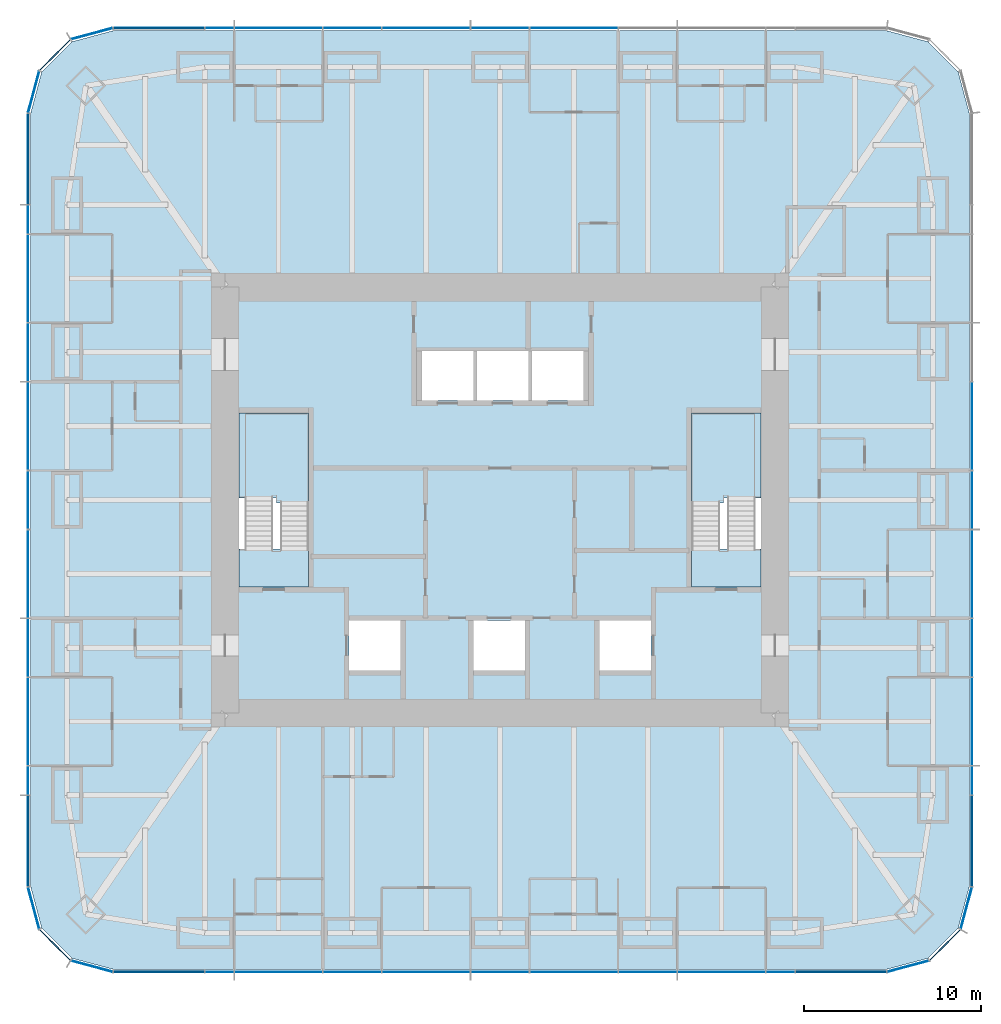
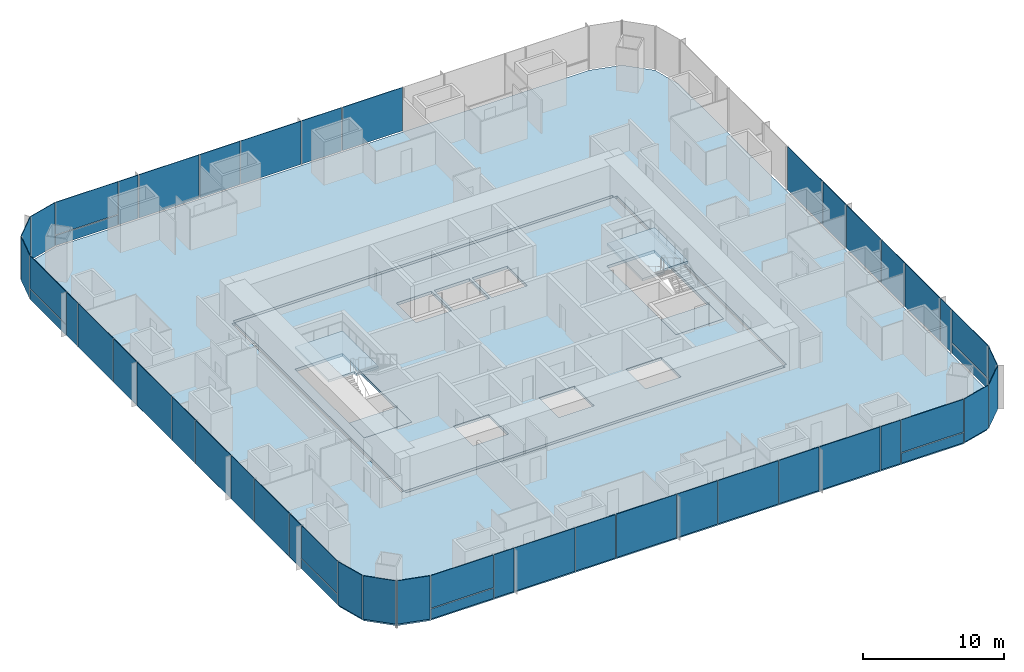
# One storey, part 7 of 12: 51 plates, 6 slabs, 9 elements without a shape of their own.
"""IFC4 building model written with IfcOpenShell, lengths in metres."""

from ifc_helpers import new_model, si_unit, direction, frame, origin, origin_2d, place, context, subcontext, project, spatial, polyline, rectangle, outline, extrude, material, layer, layer_set, type_object, element, aggregate, save


model = new_model("IFC4")

# Units and contexts
model_context = context("Model", 3, precision=1e-05, world=origin(), true_north=direction((0.0, 1.0)))
body_context = subcontext(model_context, "Body", "Model", "MODEL_VIEW")
ifc_project = project(units=[si_unit("LENGTHUNIT", "METRE"), si_unit("AREAUNIT", "SQUARE_METRE"), si_unit("VOLUMEUNIT", "CUBIC_METRE"), si_unit("PLANEANGLEUNIT", "RADIAN"), si_unit("MASSUNIT", "GRAM", prefix="KILO")], contexts=[model_context])

# Site, building, storey
site_placement = place(None, origin())
site = spatial("IfcSite", under=ifc_project, at=site_placement, CompositionType="ELEMENT")
building_placement = place(site_placement, origin())
building = spatial("IfcBuilding", under=site, at=building_placement, Name="Khuree Lantern Residences", CompositionType="ELEMENT")
storey_placement = place(building_placement, frame((0.0, 0.0, 210.75)))
storey = spatial("IfcBuildingStorey", under=building, at=storey_placement, Name="L52", CompositionType="ELEMENT", Elevation=210.75)

# Slab
ifc_material_1 = material(Name="Concrete C35/45", Category="concrete")
ifc_layer_1 = layer(ifc_material_1, 0.25)
ifc_layer_set_1 = layer_set([ifc_layer_1], Name="CFL250 CORE FLOOR SLAB 250")
slab_type_1 = type_object("IfcSlabType", Name="CFL250 CORE FLOOR SLAB 250", PredefinedType="FLOOR", material=ifc_layer_set_1)
slab_1_placement = place(storey_placement, frame((0.0, 0.0, -0.25)))
element("IfcSlab", 1, at=slab_1_placement, inside=storey, type_object=slab_type_1, Name="Core floor L52", PredefinedType="FLOOR", context=body_context, shape_type="SweptSolid", body=[
    extrude(outline(polyline([(-15.5, -12.0), (-15.5, 12.0), (15.5, 12.0), (15.5, -12.0), (-15.5, -12.0)]), holes=[polyline([(10.800048828125, 4.89990234375), (10.800048828125, -4.89990234375), (14.699951171875, -4.89990234375), (14.699951171875, 4.89990234375), (10.800048828125, 4.89990234375)]), polyline([(5.60009765625, -6.800048828125), (5.60009765625, -9.60009765625), (8.5, -9.60009765625), (8.5, -6.800048828125), (5.60009765625, -6.800048828125)]), polyline([(1.800048828125, 8.39990234375), (1.800048828125, 5.60009765625), (4.699951171875, 5.60009765625), (4.699951171875, 8.39990234375), (1.800048828125, 8.39990234375)]), polyline([(-1.300048828125, 8.39990234375), (-1.300048828125, 5.60009765625), (1.60009765625, 5.60009765625), (1.60009765625, 8.39990234375), (-1.300048828125, 8.39990234375)]), polyline([(-1.5, -6.800048828125), (-1.5, -9.60009765625), (1.39990234375, -9.60009765625), (1.39990234375, -6.800048828125), (-1.5, -6.800048828125)]), polyline([(-4.39990234375, 8.39990234375), (-4.39990234375, 5.60009765625), (-1.5, 5.60009765625), (-1.5, 8.39990234375), (-4.39990234375, 8.39990234375)]), polyline([(-8.5, -6.800048828125), (-8.5, -9.60009765625), (-5.60009765625, -9.60009765625), (-5.60009765625, -6.800048828125), (-8.5, -6.800048828125)]), polyline([(-14.699951171875, 4.89990234375), (-14.699951171875, -4.89990234375), (-10.800048828125, -4.89990234375), (-10.800048828125, 4.89990234375), (-14.699951171875, 4.89990234375)])]), origin(), (0.0, 0.0, 1.0), 0.25),
])

# Curtain wall, plates
ifc_material_2 = material(Name="Bronze anodised aluminium", Category="aluminium")
curtain_wall_type_1 = type_object("IfcCurtainWallType", Name="CW-T2 TOWER CORNER CURTAIN WALL", PredefinedType="USERDEFINED", material=ifc_material_2)
curtain_wall_1_placement = place(storey_placement, origin())
curtain_wall_1 = element("IfcCurtainWall", 2, at=curtain_wall_1_placement, inside=storey, type_object=curtain_wall_type_1, Name="L52 SOUTH-EAST CORNER CURTAIN WALL", ObjectType="Faceted corner curtain wall", PredefinedType="USERDEFINED")
ifc_material_3 = material(Name="Bronze tinted triple glazing", Category="glass")
ifc_layer_2 = layer(ifc_material_3, 0.048095703125)
ifc_layer_set_2 = layer_set([ifc_layer_2], Name="FACET PANEL P4")
plate_type_1 = type_object("IfcPlateType", Name="FACET PANEL P4", PredefinedType="CURTAIN_PANEL", material=ifc_layer_set_2)
plate_1_placement = place(storey_placement, frame((22.998046875, -26.279052734375, 0.0), z_axis=(0.0, 0.0, 1.0), x_axis=(0.965925832509, 0.258819021888, 0.0)))
plate_1 = element("IfcPlate", 3, at=plate_1_placement, type_object=plate_type_1, Name="L52 SOUTH-EAST CORNER PANEL 1.1", PredefinedType="CURTAIN_PANEL", context=body_context, shape_type="SweptSolid", body=[
    extrude(rectangle(XDim=2.40869140625, YDim=0.048095703125, at=origin_2d()), origin(), (0.0, 0.0, 1.0), 3.75),
])
plate_2_placement = place(storey_placement, frame((25.078369140625, -25.078369140625, 0.0), z_axis=(0.0, 0.0, 1.0), x_axis=(0.707106781187, 0.707106781187, 0.0)))
plate_2 = element("IfcPlate", 4, at=plate_2_placement, type_object=plate_type_1, Name="L52 SOUTH-EAST CORNER PANEL 2.1", PredefinedType="CURTAIN_PANEL", context=body_context, shape_type="SweptSolid", body=[
    extrude(rectangle(XDim=2.404541015625, YDim=0.048095703125, at=origin_2d()), origin(), (0.0, 0.0, 1.0), 3.75),
])
plate_3_placement = place(storey_placement, frame((26.279052734375, -22.998046875, 0.0), z_axis=(0.0, 0.0, 1.0), x_axis=(0.258819021888, 0.965925832509, 0.0)))
plate_3 = element("IfcPlate", 5, at=plate_3_placement, type_object=plate_type_1, Name="L52 SOUTH-EAST CORNER PANEL 3.1", PredefinedType="CURTAIN_PANEL", context=body_context, shape_type="SweptSolid", body=[
    extrude(rectangle(XDim=2.40869140625, YDim=0.048095703125, at=origin_2d()), origin(), (0.0, 0.0, 1.0), 3.75),
])
aggregate(curtain_wall_1, [plate_1, plate_2, plate_3])

curtain_wall_2_placement = place(storey_placement, origin())
curtain_wall_2 = element("IfcCurtainWall", 6, at=curtain_wall_2_placement, inside=storey, type_object=curtain_wall_type_1, Name="L52 NORTH-WEST CORNER CURTAIN WALL", ObjectType="Faceted corner curtain wall", PredefinedType="USERDEFINED")
plate_4_placement = place(storey_placement, frame((-22.998046875, 26.279052734375, 0.0), z_axis=(0.0, 0.0, 1.0), x_axis=(-0.965925832509, -0.258819021888, 0.0)))
plate_4 = element("IfcPlate", 7, at=plate_4_placement, type_object=plate_type_1, Name="L52 NORTH-WEST CORNER PANEL 29.1", PredefinedType="CURTAIN_PANEL", context=body_context, shape_type="SweptSolid", body=[
    extrude(rectangle(XDim=2.40869140625, YDim=0.048095703125, at=origin_2d()), origin(), (0.0, 0.0, 1.0), 3.75),
])
plate_5_placement = place(storey_placement, frame((-25.078369140625, 25.078369140625, 0.0), z_axis=(0.0, 0.0, 1.0), x_axis=(-0.707106781187, -0.707106781187, 0.0)))
plate_5 = element("IfcPlate", 8, at=plate_5_placement, type_object=plate_type_1, Name="L52 NORTH-WEST CORNER PANEL 30.1", PredefinedType="CURTAIN_PANEL", context=body_context, shape_type="SweptSolid", body=[
    extrude(rectangle(XDim=2.404541015625, YDim=0.048095703125, at=origin_2d()), origin(), (0.0, 0.0, 1.0), 3.75),
])
plate_6_placement = place(storey_placement, frame((-26.279052734375, 22.998046875, 0.0), z_axis=(0.0, 0.0, 1.0), x_axis=(-0.258819021888, -0.965925832509, 0.0)))
plate_6 = element("IfcPlate", 9, at=plate_6_placement, type_object=plate_type_1, Name="L52 NORTH-WEST CORNER PANEL 31.1", PredefinedType="CURTAIN_PANEL", context=body_context, shape_type="SweptSolid", body=[
    extrude(rectangle(XDim=2.40869140625, YDim=0.048095703125, at=origin_2d()), origin(), (0.0, 0.0, 1.0), 3.75),
])
aggregate(curtain_wall_2, [plate_4, plate_5, plate_6])

curtain_wall_3_placement = place(storey_placement, origin())
curtain_wall_3 = element("IfcCurtainWall", 10, at=curtain_wall_3_placement, inside=storey, type_object=curtain_wall_type_1, Name="L52 SOUTH-WEST CORNER CURTAIN WALL", ObjectType="Faceted corner curtain wall", PredefinedType="USERDEFINED")
plate_7_placement = place(storey_placement, frame((-26.279052734375, -22.998046875, 0.0), z_axis=(0.0, 0.0, 1.0), x_axis=(0.258819021888, -0.965925832509, 0.0)))
plate_7 = element("IfcPlate", 11, at=plate_7_placement, type_object=plate_type_1, Name="L52 SOUTH-WEST CORNER PANEL 43.1", PredefinedType="CURTAIN_PANEL", context=body_context, shape_type="SweptSolid", body=[
    extrude(rectangle(XDim=2.40869140625, YDim=0.048095703125, at=origin_2d()), origin(), (0.0, 0.0, 1.0), 3.75),
])
plate_8_placement = place(storey_placement, frame((-25.078369140625, -25.078369140625, 0.0), z_axis=(0.0, 0.0, 1.0), x_axis=(0.707106781187, -0.707106781187, 0.0)))
plate_8 = element("IfcPlate", 12, at=plate_8_placement, type_object=plate_type_1, Name="L52 SOUTH-WEST CORNER PANEL 44.1", PredefinedType="CURTAIN_PANEL", context=body_context, shape_type="SweptSolid", body=[
    extrude(rectangle(XDim=2.404541015625, YDim=0.048095703125, at=origin_2d()), origin(), (0.0, 0.0, 1.0), 3.75),
])
plate_9_placement = place(storey_placement, frame((-22.998046875, -26.279052734375, 0.0), z_axis=(0.0, 0.0, 1.0), x_axis=(0.965925832509, -0.258819021888, 0.0)))
plate_9 = element("IfcPlate", 13, at=plate_9_placement, type_object=plate_type_1, Name="L52 SOUTH-WEST CORNER PANEL 45.1", PredefinedType="CURTAIN_PANEL", context=body_context, shape_type="SweptSolid", body=[
    extrude(rectangle(XDim=2.40869140625, YDim=0.048095703125, at=origin_2d()), origin(), (0.0, 0.0, 1.0), 3.75),
])
aggregate(curtain_wall_3, [plate_7, plate_8, plate_9])

curtain_wall_type_2 = type_object("IfcCurtainWallType", Name="CW-T1 TOWER FACE CURTAIN WALL", PredefinedType="USERDEFINED", material=ifc_material_2)
curtain_wall_4_placement = place(storey_placement, origin())
curtain_wall_4 = element("IfcCurtainWall", 14, at=curtain_wall_4_placement, inside=storey, type_object=curtain_wall_type_2, Name="L52 EAST FACE CURTAIN WALL", ObjectType="Stick-built curtain wall", PredefinedType="USERDEFINED")
ifc_material_4 = material(Name="Bronze tinted triple glazing with a ceramic-fritted spandrel band", Category="glass")
ifc_layer_3 = layer(ifc_material_4, 0.048095703125)
ifc_layer_set_3 = layer_set([ifc_layer_3], Name="FIXED LIGHT PANEL P11")
plate_type_2 = type_object("IfcPlateType", Name="FIXED LIGHT PANEL P11", PredefinedType="CURTAIN_PANEL", material=ifc_layer_set_3)
plate_10_placement = place(storey_placement, frame((26.60009765625, -12.47998046875, 0.0), z_axis=(0.0, 0.0, 1.0), x_axis=(0.0, 1.0, 0.0)))
plate_10 = element("IfcPlate", 15, at=plate_10_placement, type_object=plate_type_2, Name="L52 EAST FACE PANEL 6.1", PredefinedType="CURTAIN_PANEL", context=body_context, shape_type="SweptSolid", body=[
    extrude(rectangle(XDim=4.927001953125, YDim=0.048095703125, at=origin_2d()), origin(), (0.0, 0.0, 1.0), 3.75),
])
plate_11_placement = place(storey_placement, frame((26.60009765625, -4.159912109375, 0.0), z_axis=(0.0, 0.0, 1.0), x_axis=(0.0, 1.0, 0.0)))
plate_11 = element("IfcPlate", 16, at=plate_11_placement, type_object=plate_type_2, Name="L52 EAST FACE PANEL 8.1", PredefinedType="CURTAIN_PANEL", context=body_context, shape_type="SweptSolid", body=[
    extrude(rectangle(XDim=4.927001953125, YDim=0.048095703125, at=origin_2d()), origin(), (0.0, 0.0, 1.0), 3.75),
])
plate_12_placement = place(storey_placement, frame((26.60009765625, 4.159912109375, 0.0), z_axis=(0.0, 0.0, 1.0), x_axis=(0.0, 1.0, 0.0)))
plate_12 = element("IfcPlate", 17, at=plate_12_placement, type_object=plate_type_2, Name="L52 EAST FACE PANEL 10.1", PredefinedType="CURTAIN_PANEL", context=body_context, shape_type="SweptSolid", body=[
    extrude(rectangle(XDim=4.927001953125, YDim=0.048095703125, at=origin_2d()), origin(), (0.0, 0.0, 1.0), 3.75),
])

curtain_wall_5_placement = place(storey_placement, origin())
curtain_wall_5 = element("IfcCurtainWall", 18, at=curtain_wall_5_placement, inside=storey, type_object=curtain_wall_type_2, Name="L52 NORTH FACE CURTAIN WALL", ObjectType="Stick-built curtain wall", PredefinedType="USERDEFINED")
plate_13_placement = place(storey_placement, frame((4.159912109375, 26.60009765625, 0.0), z_axis=(0.0, 0.0, 1.0), x_axis=(-1.0, 0.0, 0.0)))
plate_13 = element("IfcPlate", 19, at=plate_13_placement, type_object=plate_type_2, Name="L52 NORTH FACE PANEL 22.1", PredefinedType="CURTAIN_PANEL", context=body_context, shape_type="SweptSolid", body=[
    extrude(rectangle(XDim=4.927001953125, YDim=0.048095703125, at=origin_2d()), origin(), (0.0, 0.0, 1.0), 3.75),
])
plate_14_placement = place(storey_placement, frame((-4.159912109375, 26.60009765625, 0.0), z_axis=(0.0, 0.0, 1.0), x_axis=(-1.0, 0.0, 0.0)))
plate_14 = element("IfcPlate", 20, at=plate_14_placement, type_object=plate_type_2, Name="L52 NORTH FACE PANEL 24.1", PredefinedType="CURTAIN_PANEL", context=body_context, shape_type="SweptSolid", body=[
    extrude(rectangle(XDim=4.927001953125, YDim=0.048095703125, at=origin_2d()), origin(), (0.0, 0.0, 1.0), 3.75),
])
plate_15_placement = place(storey_placement, frame((-12.47998046875, 26.60009765625, 0.0), z_axis=(0.0, 0.0, 1.0), x_axis=(-1.0, 0.0, 0.0)))
plate_15 = element("IfcPlate", 21, at=plate_15_placement, type_object=plate_type_2, Name="L52 NORTH FACE PANEL 26.1", PredefinedType="CURTAIN_PANEL", context=body_context, shape_type="SweptSolid", body=[
    extrude(rectangle(XDim=4.927001953125, YDim=0.048095703125, at=origin_2d()), origin(), (0.0, 0.0, 1.0), 3.75),
])

curtain_wall_6_placement = place(storey_placement, origin())
curtain_wall_6 = element("IfcCurtainWall", 22, at=curtain_wall_6_placement, inside=storey, type_object=curtain_wall_type_2, Name="L52 WEST FACE CURTAIN WALL", ObjectType="Stick-built curtain wall", PredefinedType="USERDEFINED")
plate_16_placement = place(storey_placement, frame((-26.60009765625, 12.47998046875, 0.0), z_axis=(0.0, 0.0, 1.0), x_axis=(0.0, -1.0, 0.0)))
plate_16 = element("IfcPlate", 23, at=plate_16_placement, type_object=plate_type_2, Name="L52 WEST FACE PANEL 34.1", PredefinedType="CURTAIN_PANEL", context=body_context, shape_type="SweptSolid", body=[
    extrude(rectangle(XDim=4.927001953125, YDim=0.048095703125, at=origin_2d()), origin(), (0.0, 0.0, 1.0), 3.75),
])
plate_17_placement = place(storey_placement, frame((-26.60009765625, 4.159912109375, 0.0), z_axis=(0.0, 0.0, 1.0), x_axis=(0.0, -1.0, 0.0)))
plate_17 = element("IfcPlate", 24, at=plate_17_placement, type_object=plate_type_2, Name="L52 WEST FACE PANEL 36.1", PredefinedType="CURTAIN_PANEL", context=body_context, shape_type="SweptSolid", body=[
    extrude(rectangle(XDim=4.927001953125, YDim=0.048095703125, at=origin_2d()), origin(), (0.0, 0.0, 1.0), 3.75),
])
plate_18_placement = place(storey_placement, frame((-26.60009765625, -4.159912109375, 0.0), z_axis=(0.0, 0.0, 1.0), x_axis=(0.0, -1.0, 0.0)))
plate_18 = element("IfcPlate", 25, at=plate_18_placement, type_object=plate_type_2, Name="L52 WEST FACE PANEL 38.1", PredefinedType="CURTAIN_PANEL", context=body_context, shape_type="SweptSolid", body=[
    extrude(rectangle(XDim=4.927001953125, YDim=0.048095703125, at=origin_2d()), origin(), (0.0, 0.0, 1.0), 3.75),
])
plate_19_placement = place(storey_placement, frame((-26.60009765625, -12.47998046875, 0.0), z_axis=(0.0, 0.0, 1.0), x_axis=(0.0, -1.0, 0.0)))
plate_19 = element("IfcPlate", 26, at=plate_19_placement, type_object=plate_type_2, Name="L52 WEST FACE PANEL 40.1", PredefinedType="CURTAIN_PANEL", context=body_context, shape_type="SweptSolid", body=[
    extrude(rectangle(XDim=4.927001953125, YDim=0.048095703125, at=origin_2d()), origin(), (0.0, 0.0, 1.0), 3.75),
])

curtain_wall_7_placement = place(storey_placement, origin())
curtain_wall_7 = element("IfcCurtainWall", 27, at=curtain_wall_7_placement, inside=storey, type_object=curtain_wall_type_2, Name="L52 SOUTH FACE CURTAIN WALL", ObjectType="Stick-built curtain wall", PredefinedType="USERDEFINED")
plate_20_placement = place(storey_placement, frame((-12.47998046875, -26.60009765625, 0.0), z_axis=(0.0, 0.0, 1.0), x_axis=(1.0, 0.0, 0.0)))
plate_20 = element("IfcPlate", 28, at=plate_20_placement, type_object=plate_type_2, Name="L52 SOUTH FACE PANEL 48.1", PredefinedType="CURTAIN_PANEL", context=body_context, shape_type="SweptSolid", body=[
    extrude(rectangle(XDim=4.927001953125, YDim=0.048095703125, at=origin_2d()), origin(), (0.0, 0.0, 1.0), 3.75),
])
plate_21_placement = place(storey_placement, frame((-4.159912109375, -26.60009765625, 0.0), z_axis=(0.0, 0.0, 1.0), x_axis=(1.0, 0.0, 0.0)))
plate_21 = element("IfcPlate", 29, at=plate_21_placement, type_object=plate_type_2, Name="L52 SOUTH FACE PANEL 50.1", PredefinedType="CURTAIN_PANEL", context=body_context, shape_type="SweptSolid", body=[
    extrude(rectangle(XDim=4.927001953125, YDim=0.048095703125, at=origin_2d()), origin(), (0.0, 0.0, 1.0), 3.75),
])
plate_22_placement = place(storey_placement, frame((4.159912109375, -26.60009765625, 0.0), z_axis=(0.0, 0.0, 1.0), x_axis=(1.0, 0.0, 0.0)))
plate_22 = element("IfcPlate", 30, at=plate_22_placement, type_object=plate_type_2, Name="L52 SOUTH FACE PANEL 52.1", PredefinedType="CURTAIN_PANEL", context=body_context, shape_type="SweptSolid", body=[
    extrude(rectangle(XDim=4.927001953125, YDim=0.048095703125, at=origin_2d()), origin(), (0.0, 0.0, 1.0), 3.75),
])
plate_23_placement = place(storey_placement, frame((12.47998046875, -26.60009765625, 0.0), z_axis=(0.0, 0.0, 1.0), x_axis=(1.0, 0.0, 0.0)))
plate_23 = element("IfcPlate", 31, at=plate_23_placement, type_object=plate_type_2, Name="L52 SOUTH FACE PANEL 54.1", PredefinedType="CURTAIN_PANEL", context=body_context, shape_type="SweptSolid", body=[
    extrude(rectangle(XDim=4.927001953125, YDim=0.048095703125, at=origin_2d()), origin(), (0.0, 0.0, 1.0), 3.75),
])

# Slab
ifc_layer_4 = layer(ifc_material_1, 0.25)
ifc_layer_set_4 = layer_set([ifc_layer_4], Name="FS250 FLOOR SLAB 250")
slab_type_2 = type_object("IfcSlabType", Name="FS250 FLOOR SLAB 250", PredefinedType="FLOOR", material=ifc_layer_set_4)
slab_2_placement = place(storey_placement, frame((0.0, 0.0, -0.25)))
element("IfcSlab", 32, at=slab_2_placement, inside=storey, type_object=slab_type_2, Name="Floor slab L52", PredefinedType="FLOOR", context=body_context, shape_type="SweptSolid", body=[
    extrude(outline(polyline([(-24.125, -25.826904296875), (-25.826904296875, -24.125), (-26.449951171875, -21.800048828125), (-26.449951171875, 21.800048828125), (-25.826904296875, 24.125), (-24.125, 25.826904296875), (-21.800048828125, 26.449951171875), (21.800048828125, 26.449951171875), (24.125, 25.826904296875), (25.826904296875, 24.125), (26.449951171875, 21.800048828125), (26.449951171875, -21.800048828125), (25.826904296875, -24.125), (24.125, -25.826904296875), (21.800048828125, -26.449951171875), (-21.800048828125, -26.449951171875), (-24.125, -25.826904296875)]), holes=[polyline([(15.75, 12.0), (15.5, 12.0), (15.5, 12.25), (-15.5, 12.25), (-15.5, 12.0), (-15.75, 12.0), (-15.75, -12.0), (-15.5, -12.0), (-15.5, -12.25), (15.5, -12.25), (15.5, -12.0), (15.75, -12.0), (15.75, 12.0)])]), origin(), (0.0, 0.0, 1.0), 0.25),
])

# Plate
ifc_material_5 = material(Name="Bronze tinted triple glazing, two aluminium-framed sashes in one frame", Category="aluminium")
ifc_layer_5 = layer(ifc_material_5, 0.048095703125)
ifc_layer_set_5 = layer_set([ifc_layer_5], Name="SASH PAIR PANEL P12")
plate_type_3 = type_object("IfcPlateType", Name="SASH PAIR PANEL P12", PredefinedType="CURTAIN_PANEL", material=ifc_layer_set_5)
plate_24_placement = place(storey_placement, frame((26.60009765625, -8.320068359375, 0.0), z_axis=(0.0, 0.0, 1.0), x_axis=(0.0, 1.0, 0.0)))
plate_24 = element("IfcPlate", 33, at=plate_24_placement, type_object=plate_type_3, Name="L52 EAST FACE PANEL 7.1", PredefinedType="CURTAIN_PANEL", context=body_context, shape_type="SweptSolid", body=[
    extrude(rectangle(XDim=3.262939453125, YDim=0.048095703125, at=origin_2d()), origin(), (0.0, 0.0, 1.0), 3.75),
])

plate_25_placement = place(storey_placement, frame((26.60009765625, 0.0, 0.0), z_axis=(0.0, 0.0, 1.0), x_axis=(0.0, 1.0, 0.0)))
plate_25 = element("IfcPlate", 34, at=plate_25_placement, type_object=plate_type_3, Name="L52 EAST FACE PANEL 9.1", PredefinedType="CURTAIN_PANEL", context=body_context, shape_type="SweptSolid", body=[
    extrude(rectangle(XDim=3.262939453125, YDim=0.048095703125, at=origin_2d()), origin(), (0.0, 0.0, 1.0), 3.75),
])

plate_26_placement = place(storey_placement, frame((0.0, 26.60009765625, 0.0), z_axis=(0.0, 0.0, 1.0), x_axis=(-1.0, 0.0, 0.0)))
plate_26 = element("IfcPlate", 35, at=plate_26_placement, type_object=plate_type_3, Name="L52 NORTH FACE PANEL 23.1", PredefinedType="CURTAIN_PANEL", context=body_context, shape_type="SweptSolid", body=[
    extrude(rectangle(XDim=3.262939453125, YDim=0.048095703125, at=origin_2d()), origin(), (0.0, 0.0, 1.0), 3.75),
])

plate_27_placement = place(storey_placement, frame((-8.320068359375, 26.60009765625, 0.0), z_axis=(0.0, 0.0, 1.0), x_axis=(-1.0, 0.0, 0.0)))
plate_27 = element("IfcPlate", 36, at=plate_27_placement, type_object=plate_type_3, Name="L52 NORTH FACE PANEL 25.1", PredefinedType="CURTAIN_PANEL", context=body_context, shape_type="SweptSolid", body=[
    extrude(rectangle(XDim=3.262939453125, YDim=0.048095703125, at=origin_2d()), origin(), (0.0, 0.0, 1.0), 3.75),
])

plate_28_placement = place(storey_placement, frame((-26.60009765625, 8.320068359375, 0.0), z_axis=(0.0, 0.0, 1.0), x_axis=(0.0, -1.0, 0.0)))
plate_28 = element("IfcPlate", 37, at=plate_28_placement, type_object=plate_type_3, Name="L52 WEST FACE PANEL 35.1", PredefinedType="CURTAIN_PANEL", context=body_context, shape_type="SweptSolid", body=[
    extrude(rectangle(XDim=3.262939453125, YDim=0.048095703125, at=origin_2d()), origin(), (0.0, 0.0, 1.0), 3.75),
])

plate_29_placement = place(storey_placement, frame((-26.60009765625, 0.0, 0.0), z_axis=(0.0, 0.0, 1.0), x_axis=(0.0, -1.0, 0.0)))
plate_29 = element("IfcPlate", 38, at=plate_29_placement, type_object=plate_type_3, Name="L52 WEST FACE PANEL 37.1", PredefinedType="CURTAIN_PANEL", context=body_context, shape_type="SweptSolid", body=[
    extrude(rectangle(XDim=3.262939453125, YDim=0.048095703125, at=origin_2d()), origin(), (0.0, 0.0, 1.0), 3.75),
])

plate_30_placement = place(storey_placement, frame((-26.60009765625, -8.320068359375, 0.0), z_axis=(0.0, 0.0, 1.0), x_axis=(0.0, -1.0, 0.0)))
plate_30 = element("IfcPlate", 39, at=plate_30_placement, type_object=plate_type_3, Name="L52 WEST FACE PANEL 39.1", PredefinedType="CURTAIN_PANEL", context=body_context, shape_type="SweptSolid", body=[
    extrude(rectangle(XDim=3.262939453125, YDim=0.048095703125, at=origin_2d()), origin(), (0.0, 0.0, 1.0), 3.75),
])

plate_31_placement = place(storey_placement, frame((-8.320068359375, -26.60009765625, 0.0), z_axis=(0.0, 0.0, 1.0), x_axis=(1.0, 0.0, 0.0)))
plate_31 = element("IfcPlate", 40, at=plate_31_placement, type_object=plate_type_3, Name="L52 SOUTH FACE PANEL 49.1", PredefinedType="CURTAIN_PANEL", context=body_context, shape_type="SweptSolid", body=[
    extrude(rectangle(XDim=3.262939453125, YDim=0.048095703125, at=origin_2d()), origin(), (0.0, 0.0, 1.0), 3.75),
])

plate_32_placement = place(storey_placement, frame((0.0, -26.60009765625, 0.0), z_axis=(0.0, 0.0, 1.0), x_axis=(1.0, 0.0, 0.0)))
plate_32 = element("IfcPlate", 41, at=plate_32_placement, type_object=plate_type_3, Name="L52 SOUTH FACE PANEL 51.1", PredefinedType="CURTAIN_PANEL", context=body_context, shape_type="SweptSolid", body=[
    extrude(rectangle(XDim=3.262939453125, YDim=0.048095703125, at=origin_2d()), origin(), (0.0, 0.0, 1.0), 3.75),
])

plate_33_placement = place(storey_placement, frame((8.320068359375, -26.60009765625, 0.0), z_axis=(0.0, 0.0, 1.0), x_axis=(1.0, 0.0, 0.0)))
plate_33 = element("IfcPlate", 42, at=plate_33_placement, type_object=plate_type_3, Name="L52 SOUTH FACE PANEL 53.1", PredefinedType="CURTAIN_PANEL", context=body_context, shape_type="SweptSolid", body=[
    extrude(rectangle(XDim=3.262939453125, YDim=0.048095703125, at=origin_2d()), origin(), (0.0, 0.0, 1.0), 3.75),
])

ifc_material_6 = material(Name="Bronze tinted triple glazing, aluminium-framed sash", Category="aluminium")
ifc_layer_6 = layer(ifc_material_6, 0.048095703125)
ifc_layer_set_6 = layer_set([ifc_layer_6], Name="SASH PANEL P3")
plate_type_4 = type_object("IfcPlateType", Name="SASH PANEL P3", PredefinedType="CURTAIN_PANEL", material=ifc_layer_set_6)
plate_34_placement = place(storey_placement, frame((26.60009765625, -15.80810546875, 0.0), z_axis=(0.0, 0.0, 1.0), x_axis=(0.0, 1.0, 0.0)))
plate_34 = element("IfcPlate", 43, at=plate_34_placement, type_object=plate_type_4, Name="L52 EAST FACE PANEL 5.1", PredefinedType="CURTAIN_PANEL", context=body_context, shape_type="SweptSolid", body=[
    extrude(rectangle(XDim=1.59912109375, YDim=0.048095703125, at=origin_2d()), origin(), (0.0, 0.0, 1.0), 3.75),
])

plate_35_placement = place(storey_placement, frame((-15.80810546875, 26.60009765625, 0.0), z_axis=(0.0, 0.0, 1.0), x_axis=(-1.0, 0.0, 0.0)))
plate_35 = element("IfcPlate", 44, at=plate_35_placement, type_object=plate_type_4, Name="L52 NORTH FACE PANEL 27.1", PredefinedType="CURTAIN_PANEL", context=body_context, shape_type="SweptSolid", body=[
    extrude(rectangle(XDim=1.59912109375, YDim=0.048095703125, at=origin_2d()), origin(), (0.0, 0.0, 1.0), 3.75),
])

plate_36_placement = place(storey_placement, frame((-26.60009765625, 15.80810546875, 0.0), z_axis=(0.0, 0.0, 1.0), x_axis=(0.0, -1.0, 0.0)))
plate_36 = element("IfcPlate", 45, at=plate_36_placement, type_object=plate_type_4, Name="L52 WEST FACE PANEL 33.1", PredefinedType="CURTAIN_PANEL", context=body_context, shape_type="SweptSolid", body=[
    extrude(rectangle(XDim=1.59912109375, YDim=0.048095703125, at=origin_2d()), origin(), (0.0, 0.0, 1.0), 3.75),
])

plate_37_placement = place(storey_placement, frame((-26.60009765625, -15.80810546875, 0.0), z_axis=(0.0, 0.0, 1.0), x_axis=(0.0, -1.0, 0.0)))
plate_37 = element("IfcPlate", 46, at=plate_37_placement, type_object=plate_type_4, Name="L52 WEST FACE PANEL 41.1", PredefinedType="CURTAIN_PANEL", context=body_context, shape_type="SweptSolid", body=[
    extrude(rectangle(XDim=1.59912109375, YDim=0.048095703125, at=origin_2d()), origin(), (0.0, 0.0, 1.0), 3.75),
])

plate_38_placement = place(storey_placement, frame((-15.80810546875, -26.60009765625, 0.0), z_axis=(0.0, 0.0, 1.0), x_axis=(1.0, 0.0, 0.0)))
plate_38 = element("IfcPlate", 47, at=plate_38_placement, type_object=plate_type_4, Name="L52 SOUTH FACE PANEL 47.1", PredefinedType="CURTAIN_PANEL", context=body_context, shape_type="SweptSolid", body=[
    extrude(rectangle(XDim=1.59912109375, YDim=0.048095703125, at=origin_2d()), origin(), (0.0, 0.0, 1.0), 3.75),
])

plate_39_placement = place(storey_placement, frame((15.80810546875, -26.60009765625, 0.0), z_axis=(0.0, 0.0, 1.0), x_axis=(1.0, 0.0, 0.0)))
plate_39 = element("IfcPlate", 48, at=plate_39_placement, type_object=plate_type_4, Name="L52 SOUTH FACE PANEL 55.1", PredefinedType="CURTAIN_PANEL", context=body_context, shape_type="SweptSolid", body=[
    extrude(rectangle(XDim=1.59912109375, YDim=0.048095703125, at=origin_2d()), origin(), (0.0, 0.0, 1.0), 3.75),
])

ifc_material_7 = material(Name="Bronze anodised aluminium insulated spandrel", Category="aluminium")
ifc_layer_7 = layer(ifc_material_7, 0.06005859375)
ifc_layer_set_7 = layer_set([ifc_layer_7], Name="SPANDREL PANEL P2")
plate_type_5 = type_object("IfcPlateType", Name="SPANDREL PANEL P2", PredefinedType="CURTAIN_PANEL", material=ifc_layer_set_7)
plate_40_placement = place(storey_placement, frame((26.60009765625, -19.2177734375, 0.0), z_axis=(0.0, 0.0, 1.0), x_axis=(0.0, 1.0, 0.0)))
plate_40 = element("IfcPlate", 49, at=plate_40_placement, type_object=plate_type_5, Name="L52 EAST FACE PANEL 4.1", PredefinedType="CURTAIN_PANEL", context=body_context, shape_type="SweptSolid", body=[
    extrude(rectangle(XDim=5.0908203125, YDim=0.06005859375, at=origin_2d()), origin(), (0.0, 0.0, 1.0), 0.867431640625),
])

plate_41_placement = place(storey_placement, frame((-19.2177734375, 26.60009765625, 0.0), z_axis=(0.0, 0.0, 1.0), x_axis=(-1.0, 0.0, 0.0)))
plate_41 = element("IfcPlate", 50, at=plate_41_placement, type_object=plate_type_5, Name="L52 NORTH FACE PANEL 28.1", PredefinedType="CURTAIN_PANEL", context=body_context, shape_type="SweptSolid", body=[
    extrude(rectangle(XDim=5.0908203125, YDim=0.06005859375, at=origin_2d()), origin(), (0.0, 0.0, 1.0), 0.867431640625),
])

plate_42_placement = place(storey_placement, frame((-26.60009765625, 19.2177734375, 0.0), z_axis=(0.0, 0.0, 1.0), x_axis=(0.0, -1.0, 0.0)))
plate_42 = element("IfcPlate", 51, at=plate_42_placement, type_object=plate_type_5, Name="L52 WEST FACE PANEL 32.1", PredefinedType="CURTAIN_PANEL", context=body_context, shape_type="SweptSolid", body=[
    extrude(rectangle(XDim=5.0908203125, YDim=0.06005859375, at=origin_2d()), origin(), (0.0, 0.0, 1.0), 0.867431640625),
])

plate_43_placement = place(storey_placement, frame((-26.60009765625, -19.2177734375, 0.0), z_axis=(0.0, 0.0, 1.0), x_axis=(0.0, -1.0, 0.0)))
plate_43 = element("IfcPlate", 52, at=plate_43_placement, type_object=plate_type_5, Name="L52 WEST FACE PANEL 42.1", PredefinedType="CURTAIN_PANEL", context=body_context, shape_type="SweptSolid", body=[
    extrude(rectangle(XDim=5.0908203125, YDim=0.06005859375, at=origin_2d()), origin(), (0.0, 0.0, 1.0), 0.867431640625),
])

plate_44_placement = place(storey_placement, frame((-19.2177734375, -26.60009765625, 0.0), z_axis=(0.0, 0.0, 1.0), x_axis=(1.0, 0.0, 0.0)))
plate_44 = element("IfcPlate", 53, at=plate_44_placement, type_object=plate_type_5, Name="L52 SOUTH FACE PANEL 46.1", PredefinedType="CURTAIN_PANEL", context=body_context, shape_type="SweptSolid", body=[
    extrude(rectangle(XDim=5.0908203125, YDim=0.06005859375, at=origin_2d()), origin(), (0.0, 0.0, 1.0), 0.867431640625),
])

plate_45_placement = place(storey_placement, frame((19.2177734375, -26.60009765625, 0.0), z_axis=(0.0, 0.0, 1.0), x_axis=(1.0, 0.0, 0.0)))
plate_45 = element("IfcPlate", 54, at=plate_45_placement, type_object=plate_type_5, Name="L52 SOUTH FACE PANEL 56.1", PredefinedType="CURTAIN_PANEL", context=body_context, shape_type="SweptSolid", body=[
    extrude(rectangle(XDim=5.0908203125, YDim=0.06005859375, at=origin_2d()), origin(), (0.0, 0.0, 1.0), 0.867431640625),
])

# Stair, slabs
ifc_material_8 = material(Name="Concrete C40/50", Category="concrete")
stair_type = type_object("IfcStairType", Name="STAIR ST1 HALF TURN 3600", PredefinedType="HALF_TURN_STAIR", material=ifc_material_8)
stair_1_placement = place(storey_placement, origin())
stair_1 = element("IfcStair", 55, at=stair_1_placement, inside=storey, type_object=stair_type, Name="Stair ST1", PredefinedType="HALF_TURN_STAIR")
ifc_layer_8 = layer(ifc_material_8, 0.199951171875)
ifc_layer_set_8 = layer_set([ifc_layer_8], Name="STAIR LANDING SL1 200")
slab_type_3 = type_object("IfcSlabType", Name="STAIR LANDING SL1 200", PredefinedType="LANDING", material=ifc_layer_set_8)
slab_3_placement = place(storey_placement, frame((0.0, 0.0, -0.199951171875)))
slab_3 = element("IfcSlab", 56, at=slab_3_placement, type_object=slab_type_3, Name="ST1 landing 1", PredefinedType="LANDING", context=body_context, shape_type="SweptSolid", body=[
    extrude(outline(polyline([(-14.699951171875, -4.89990234375), (-10.800048828125, -4.89990234375), (-10.800048828125, -2.760009765625), (-14.699951171875, -2.760009765625), (-14.699951171875, -4.89990234375)])), origin(), (0.0, 0.0, 1.0), 0.199951171875),
])
slab_4_placement = place(storey_placement, frame((0.0, 0.0, 1.756591796875)))
slab_4 = element("IfcSlab", 57, at=slab_4_placement, type_object=slab_type_3, Name="ST1 landing 2", PredefinedType="LANDING", context=body_context, shape_type="SweptSolid", body=[
    extrude(outline(polyline([(-14.699951171875, 0.1201171875), (-14.699951171875, 4.89990234375), (-10.800048828125, 4.89990234375), (-10.800048828125, -0.159912109375), (-12.60009765625, -0.159912109375), (-12.60009765625, 0.1201171875), (-14.699951171875, 0.1201171875)])), origin(), (0.0, 0.0, 1.0), 0.199951171875),
])
aggregate(stair_1, [slab_3, slab_4])

stair_2_placement = place(storey_placement, origin())
stair_2 = element("IfcStair", 58, at=stair_2_placement, inside=storey, type_object=stair_type, Name="Stair ST2", PredefinedType="HALF_TURN_STAIR")
slab_5_placement = place(storey_placement, frame((0.0, 0.0, -0.199951171875)))
slab_5 = element("IfcSlab", 59, at=slab_5_placement, type_object=slab_type_3, Name="ST2 landing 1", PredefinedType="LANDING", context=body_context, shape_type="SweptSolid", body=[
    extrude(outline(polyline([(10.800048828125, -4.89990234375), (14.699951171875, -4.89990234375), (14.699951171875, -2.760009765625), (10.800048828125, -2.760009765625), (10.800048828125, -4.89990234375)])), origin(), (0.0, 0.0, 1.0), 0.199951171875),
])
slab_6_placement = place(storey_placement, frame((0.0, 0.0, 1.756591796875)))
slab_6 = element("IfcSlab", 60, at=slab_6_placement, type_object=slab_type_3, Name="ST2 landing 2", PredefinedType="LANDING", context=body_context, shape_type="SweptSolid", body=[
    extrude(outline(polyline([(14.699951171875, 4.89990234375), (14.699951171875, 0.1201171875), (12.60009765625, 0.1201171875), (12.60009765625, -0.159912109375), (10.800048828125, -0.159912109375), (10.800048828125, 4.89990234375), (14.699951171875, 4.89990234375)])), origin(), (0.0, 0.0, 1.0), 0.199951171875),
])
aggregate(stair_2, [slab_5, slab_6])

# Plate
ifc_layer_9 = layer(ifc_material_3, 0.048095703125)
ifc_layer_set_9 = layer_set([ifc_layer_9], Name="VISION PANEL P1")
plate_type_6 = type_object("IfcPlateType", Name="VISION PANEL P1", PredefinedType="CURTAIN_PANEL", material=ifc_layer_set_9)
plate_46_placement = place(storey_placement, frame((26.60009765625, -19.21826171875, 0.9326171875), z_axis=(0.0, 0.0, 1.0), x_axis=(0.0, 1.0, 0.0)))
plate_46 = element("IfcPlate", 61, at=plate_46_placement, type_object=plate_type_6, Name="L52 EAST FACE PANEL 4.2", PredefinedType="CURTAIN_PANEL", context=body_context, shape_type="SweptSolid", body=[
    extrude(rectangle(XDim=5.091552734375, YDim=0.048095703125, at=origin_2d()), origin(), (0.0, 0.0, 1.0), 2.8173828125),
])

aggregate(curtain_wall_4, [plate_40, plate_46, plate_34, plate_10, plate_24, plate_11, plate_25, plate_12])

plate_47_placement = place(storey_placement, frame((-19.21826171875, 26.60009765625, 0.9326171875), z_axis=(0.0, 0.0, 1.0), x_axis=(-1.0, 0.0, 0.0)))
plate_47 = element("IfcPlate", 62, at=plate_47_placement, type_object=plate_type_6, Name="L52 NORTH FACE PANEL 28.2", PredefinedType="CURTAIN_PANEL", context=body_context, shape_type="SweptSolid", body=[
    extrude(rectangle(XDim=5.091552734375, YDim=0.048095703125, at=origin_2d()), origin(), (0.0, 0.0, 1.0), 2.8173828125),
])

aggregate(curtain_wall_5, [plate_13, plate_26, plate_14, plate_27, plate_15, plate_35, plate_41, plate_47])

plate_48_placement = place(storey_placement, frame((-26.60009765625, 19.21826171875, 0.9326171875), z_axis=(0.0, 0.0, 1.0), x_axis=(0.0, -1.0, 0.0)))
plate_48 = element("IfcPlate", 63, at=plate_48_placement, type_object=plate_type_6, Name="L52 WEST FACE PANEL 32.2", PredefinedType="CURTAIN_PANEL", context=body_context, shape_type="SweptSolid", body=[
    extrude(rectangle(XDim=5.091552734375, YDim=0.048095703125, at=origin_2d()), origin(), (0.0, 0.0, 1.0), 2.8173828125),
])

plate_49_placement = place(storey_placement, frame((-26.60009765625, -19.21826171875, 0.9326171875), z_axis=(0.0, 0.0, 1.0), x_axis=(0.0, -1.0, 0.0)))
plate_49 = element("IfcPlate", 64, at=plate_49_placement, type_object=plate_type_6, Name="L52 WEST FACE PANEL 42.2", PredefinedType="CURTAIN_PANEL", context=body_context, shape_type="SweptSolid", body=[
    extrude(rectangle(XDim=5.091552734375, YDim=0.048095703125, at=origin_2d()), origin(), (0.0, 0.0, 1.0), 2.8173828125),
])

aggregate(curtain_wall_6, [plate_42, plate_48, plate_36, plate_16, plate_28, plate_17, plate_29, plate_18, plate_30, plate_19, plate_37, plate_43, plate_49])

plate_50_placement = place(storey_placement, frame((-19.21826171875, -26.60009765625, 0.9326171875), z_axis=(0.0, 0.0, 1.0), x_axis=(1.0, 0.0, 0.0)))
plate_50 = element("IfcPlate", 65, at=plate_50_placement, type_object=plate_type_6, Name="L52 SOUTH FACE PANEL 46.2", PredefinedType="CURTAIN_PANEL", context=body_context, shape_type="SweptSolid", body=[
    extrude(rectangle(XDim=5.091552734375, YDim=0.048095703125, at=origin_2d()), origin(), (0.0, 0.0, 1.0), 2.8173828125),
])

plate_51_placement = place(storey_placement, frame((19.21826171875, -26.60009765625, 0.9326171875), z_axis=(0.0, 0.0, 1.0), x_axis=(1.0, 0.0, 0.0)))
plate_51 = element("IfcPlate", 66, at=plate_51_placement, type_object=plate_type_6, Name="L52 SOUTH FACE PANEL 56.2", PredefinedType="CURTAIN_PANEL", context=body_context, shape_type="SweptSolid", body=[
    extrude(rectangle(XDim=5.091552734375, YDim=0.048095703125, at=origin_2d()), origin(), (0.0, 0.0, 1.0), 2.8173828125),
])

aggregate(curtain_wall_7, [plate_44, plate_50, plate_38, plate_20, plate_31, plate_21, plate_32, plate_22, plate_33, plate_23, plate_39, plate_45, plate_51])

save(model, "model.ifc")
